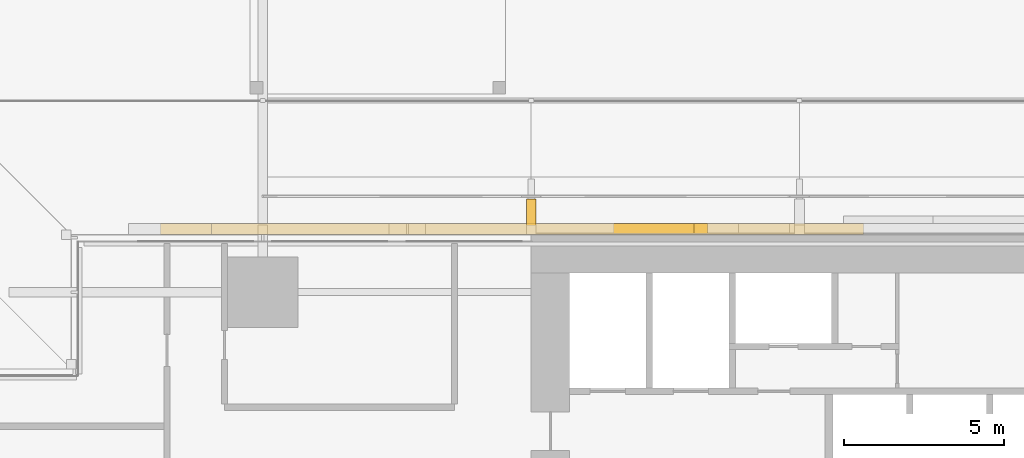
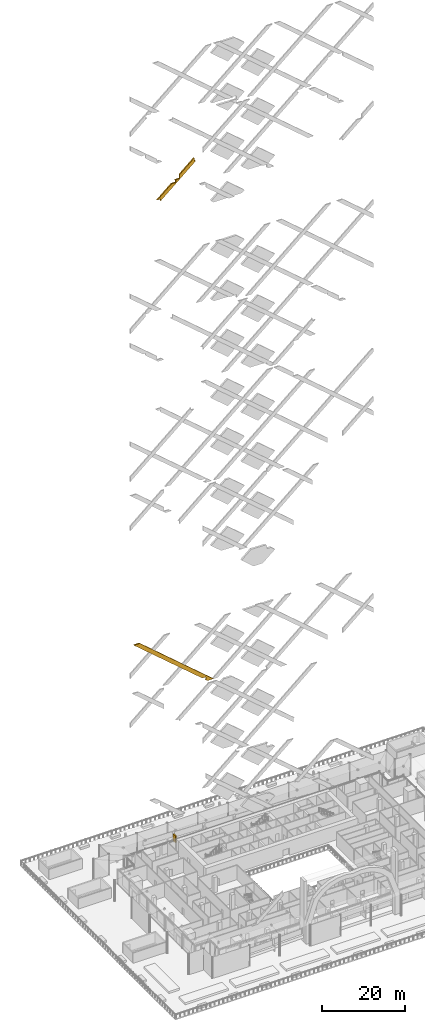
# One storey, part 38 of 60: 3 coverings.
"""IFC4 building model written with IfcOpenShell, lengths in metres."""

from ifc_helpers import new_model, si_unit, direction, frame, origin, origin_2d, place, context, subcontext, project, spatial, polyline, rectangle, outline, extrude, material, layer, layer_set, type_object, element, save


model = new_model("IFC4")

# Units and contexts
model_context = context("Model", 3, precision=1e-05, world=origin(), true_north=direction((0.0, 1.0)))
body_context = subcontext(model_context, "Body", "Model", "MODEL_VIEW")
ifc_project = project(units=[si_unit("LENGTHUNIT", "METRE"), si_unit("AREAUNIT", "SQUARE_METRE"), si_unit("VOLUMEUNIT", "CUBIC_METRE"), si_unit("PLANEANGLEUNIT", "RADIAN"), si_unit("MASSUNIT", "GRAM", prefix="KILO")], contexts=[model_context])

# Site, building, storey
site_placement = place(None, origin())
site = spatial("IfcSite", under=ifc_project, at=site_placement, CompositionType="ELEMENT")
building_placement = place(site_placement, origin())
building = spatial("IfcBuilding", under=site, at=building_placement, Name="Saffron Gate Tower", CompositionType="ELEMENT")
storey_placement = place(building_placement, frame((0.0, 0.0, 19.199951171875)))
storey = spatial("IfcBuildingStorey", under=building, at=storey_placement, Name="L03", CompositionType="ELEMENT", Elevation=19.199951171875)

# Coverings
ifc_material_1 = material(Name="Timber, thermally modified ash", Category="wood")
ifc_layer_1 = layer(ifc_material_1, 0.300048828125)
ifc_layer_set_1 = layer_set([ifc_layer_1], Name="LD3 ledge riser fin")
covering_type_1 = type_object("IfcCoveringType", Name="LD3 ledge riser fin", PredefinedType="CLADDING", material=ifc_layer_set_1)
covering_1_placement = place(storey_placement, frame((66.60009765625, 76.159912109375, 3.04541015625), z_axis=(0.0, 0.0, 1.0), x_axis=(-1.0, 0.0, 0.0)))
element("IfcCovering", 1, at=covering_1_placement, inside=storey, type_object=covering_type_1, Name="LEDGE riser fin", PredefinedType="CLADDING", context=body_context, shape_type="SweptSolid", body=[
    extrude(rectangle(XDim=0.300048828125, YDim=1.1201171875, at=origin_2d()), origin(), (0.0, 0.0, 1.0), 1.93115234375),
])
ifc_material_2 = material(Name="Ceramic-printed bronze insulated panel")
ifc_layer_2 = layer(ifc_material_2, 0.35009765625)
ifc_layer_set_2 = layer_set([ifc_layer_2], Name="LZ1 lozenge lattice bar 1600")
covering_type_2 = type_object("IfcCoveringType", Name="LZ1 lozenge lattice bar 1600", PredefinedType="CLADDING", material=ifc_layer_set_2)
covering_2_placement = place(storey_placement, frame((77.001708984375, 75.949951171875, 47.31298828125), z_axis=(0.0, 1.0, 0.0), x_axis=(-0.999586900679, 0.0, 0.028740702688)))
element("IfcCovering", 2, at=covering_2_placement, inside=storey, type_object=covering_type_2, Name="CLADDING lozenge lattice bar", PredefinedType="CLADDING", context=body_context, shape_type="SweptSolid", body=[
    extrude(outline(polyline([(0.0, 0.0), (1.6564459954660578, -6.938893903907228e-18), (2.15155220537975, 0.4002422800608566), (2.0140455461206503, 0.40028808699510426), (2.0370395116259545, 1.2000064154924113), (3.1407674158050884, 1.2000227879630183), (22.495210501402887, 16.847492077480645), (20.89577384440827, 16.893480008491256), (0.0, 0.0)])), origin(), (0.0, 0.0, -1.0), 0.35009765625),
])
covering_3_placement = place(storey_placement, frame((62.39990234375, 75.949951171875, 192.17138671875), z_axis=(0.0, 1.0, 0.0), x_axis=(0.0, 0.0, 1.0)))
element("IfcCovering", 3, at=covering_3_placement, inside=storey, type_object=covering_type_2, Name="CLADDING lozenge lattice bar", PredefinedType="CLADDING", context=body_context, shape_type="SweptSolid", body=[
    extrude(outline(polyline([(0.0, 0.0), (0.548583984375, 0.0), (0.548583984375, -0.9599609375), (1.128662109375, -0.283203125), (1.128662109375, 0.0), (1.37158203125, 0.0), (3.947265625, 3.005126953125), (3.912841796875, 4.2001953125), (4.712890625, 4.2001953125), (4.721435546875, 3.908203125), (4.728759765625, 3.916748046875), (4.728759765625, 5.25), (5.87158203125, 5.25), (9.343017578125, 9.300048828125), (8.32861328125, 9.300048828125), (8.32861328125, 9.716796875), (0.0, 0.0)])), origin(), (0.0, 0.0, -1.0), 0.35009765625),
])

save(model, "model.ifc")
